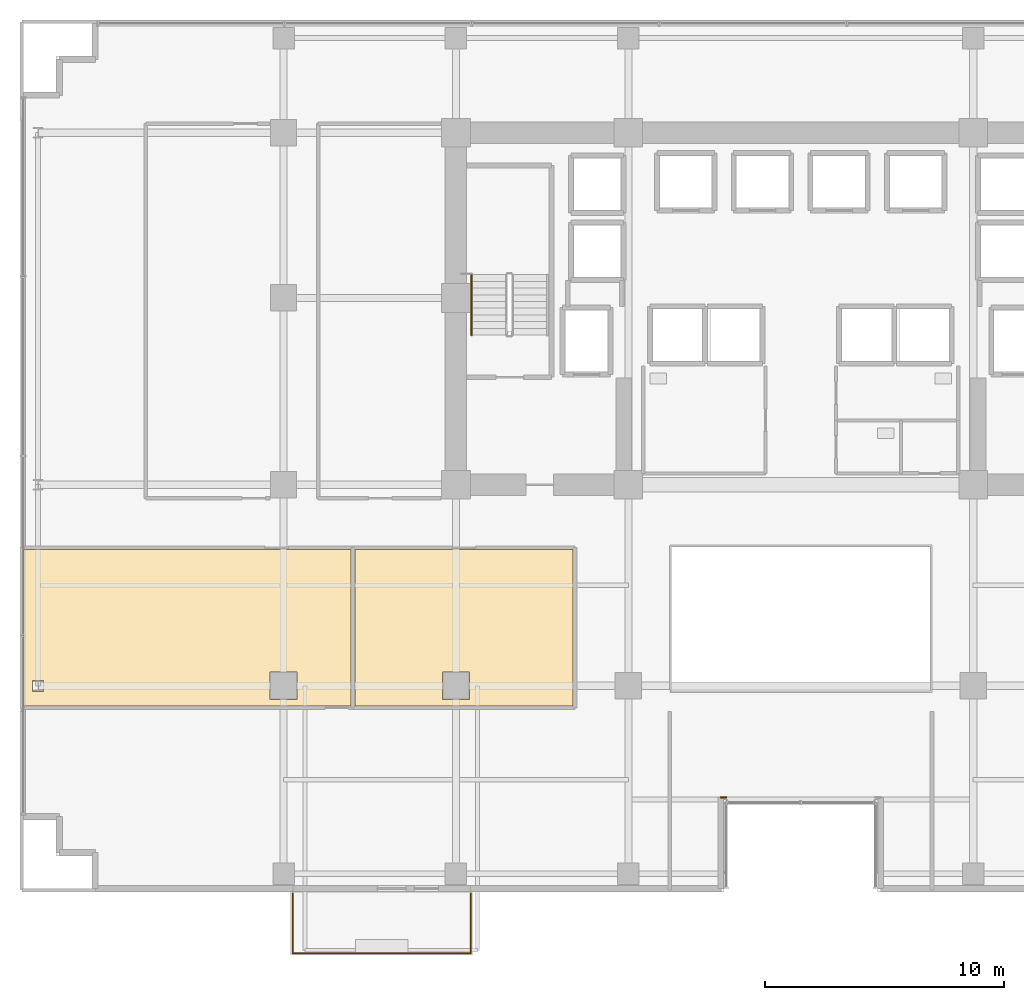
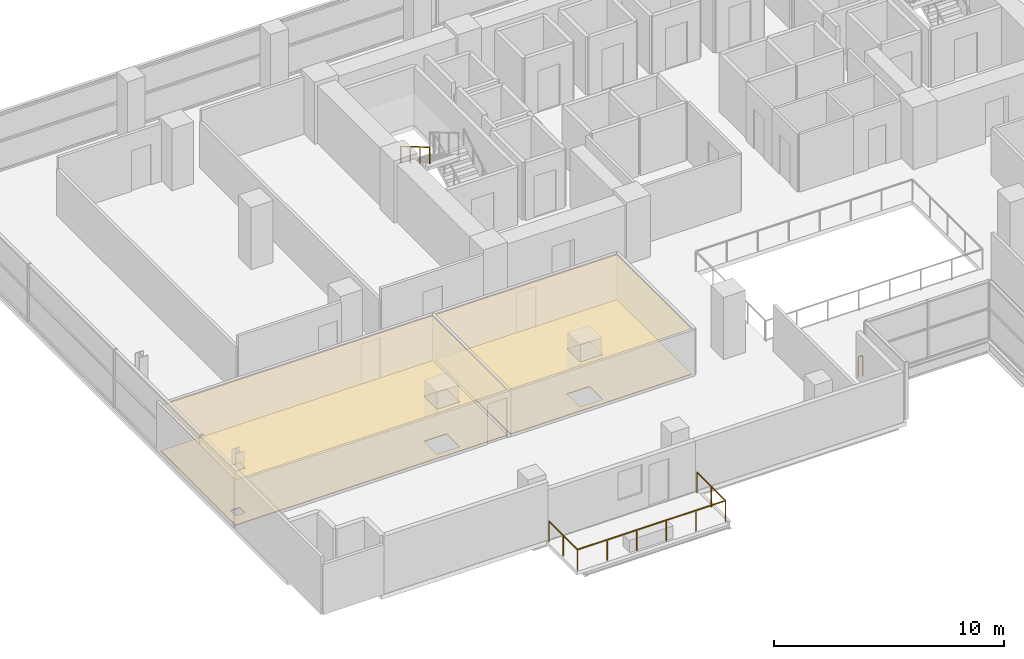
# One storey, part 26 of 29: 4 coverings, 3 railings.
"""IFC4 building model written with IfcOpenShell, lengths in metres."""

from ifc_helpers import new_model, si_unit, direction, frame, origin, origin_2d, place, context, subcontext, project, spatial, polyline, rectangle, outline, extrude, material, layer, layer_set, type_object, element, save


model = new_model("IFC4")

# Units and contexts
model_context = context("Model", 3, precision=1e-05, world=origin(), true_north=direction((0.0, 1.0)))
body_context = subcontext(model_context, "Body", "Model", "MODEL_VIEW")
ifc_project = project(units=[si_unit("LENGTHUNIT", "METRE"), si_unit("AREAUNIT", "SQUARE_METRE"), si_unit("VOLUMEUNIT", "CUBIC_METRE"), si_unit("PLANEANGLEUNIT", "RADIAN"), si_unit("MASSUNIT", "GRAM", prefix="KILO")], contexts=[model_context])

# Site, building, storey
site_placement = place(None, origin())
site = spatial("IfcSite", under=ifc_project, at=site_placement, CompositionType="ELEMENT")
building_placement = place(site_placement, origin())
building = spatial("IfcBuilding", under=site, at=building_placement, Name="Zarnakvel Exchange Tower", CompositionType="ELEMENT")
storey_placement = place(building_placement, frame((0.0, 0.0, 37.300048828125)))
storey = spatial("IfcBuildingStorey", under=building, at=storey_placement, Name="L09", CompositionType="ELEMENT", Elevation=37.300048828125)

# Coverings
ifc_material_1 = material(Name="Perforated Bronze Acoustic Metal Ceiling", Category="aluminium")
ifc_layer_1 = layer(ifc_material_1, 0.02001953125)
ifc_layer_set_1 = layer_set([ifc_layer_1], Name="Perforated Bronze Acoustic Metal Ceiling")
covering_type_1 = type_object("IfcCoveringType", Name="CLG-01", PredefinedType="CEILING", material=ifc_layer_set_1)
covering_1_placement = place(storey_placement, frame((0.0, 0.0, 2.405029296875)))
element("IfcCovering", 1, at=covering_1_placement, inside=storey, type_object=covering_type_1, Name="L09 Suspended Acoustic Ceiling (Institutional Dealing Room)", PredefinedType="CEILING", context=body_context, shape_type="SweptSolid", body=[
    extrude(outline(polyline([(-32.449951171875, -3.909912109375), (-18.781982421875, -3.909912109375), (-18.781982421875, -10.43994140625), (-32.449951171875, -10.43994140625), (-32.449951171875, -3.909912109375)]), holes=[polyline([(-21.030029296875, -10.169921875), (-21.030029296875, -9.030029296875), (-22.169921875, -9.030029296875), (-22.169921875, -10.169921875), (-21.030029296875, -10.169921875)]), polyline([(-32.075927734375, -9.83251953125), (-31.6240234375, -9.83251953125), (-31.6240234375, -9.367431640625), (-32.075927734375, -9.367431640625), (-32.075927734375, -9.83251953125)])]), origin(), (0.0, 0.0, 1.0), 0.02001953125),
])
covering_2_placement = place(storey_placement, frame((0.0, 0.0, 2.405029296875)))
element("IfcCovering", 2, at=covering_2_placement, inside=storey, type_object=covering_type_1, Name="L09 Suspended Acoustic Ceiling (Clearing Office)", PredefinedType="CEILING", context=body_context, shape_type="SweptSolid", body=[
    extrude(outline(polyline([(-18.6220703125, -3.909912109375), (-9.510009765625, -3.909912109375), (-9.510009765625, -10.43994140625), (-18.6220703125, -10.43994140625), (-18.6220703125, -3.909912109375)]), holes=[polyline([(-13.830078125, -10.169921875), (-13.830078125, -9.030029296875), (-14.969970703125, -9.030029296875), (-14.969970703125, -10.169921875), (-13.830078125, -10.169921875)])]), origin(), (0.0, 0.0, 1.0), 0.02001953125),
])
ifc_material_2 = material(Name="Heavy-Duty Raised Access Floor Panel", Category="steel")
ifc_layer_2 = layer(ifc_material_2, 0.034912109375)
ifc_layer_set_2 = layer_set([ifc_layer_2], Name="Heavy-Duty Raised Access Floor Panel")
covering_type_2 = type_object("IfcCoveringType", Name="FLR-02", PredefinedType="FLOORING", material=ifc_layer_set_2)
covering_3_placement = place(storey_placement, origin())
element("IfcCovering", 3, at=covering_3_placement, inside=storey, type_object=covering_type_2, Name="L09 Floor Finish (Institutional Dealing Room)", PredefinedType="FLOORING", context=body_context, shape_type="SweptSolid", body=[
    extrude(outline(polyline([(-32.449951171875, -3.909912109375), (-18.781982421875, -3.909912109375), (-18.781982421875, -10.43994140625), (-32.449951171875, -10.43994140625), (-32.449951171875, -3.909912109375)]), holes=[polyline([(-21.030029296875, -10.169921875), (-21.030029296875, -9.030029296875), (-22.169921875, -9.030029296875), (-22.169921875, -10.169921875), (-21.030029296875, -10.169921875)]), polyline([(-32.075927734375, -9.83251953125), (-31.6240234375, -9.83251953125), (-31.6240234375, -9.367431640625), (-32.075927734375, -9.367431640625), (-32.075927734375, -9.83251953125)])]), origin(), (0.0, 0.0, 1.0), 0.034912109375),
])
covering_4_placement = place(storey_placement, origin())
element("IfcCovering", 4, at=covering_4_placement, inside=storey, type_object=covering_type_2, Name="L09 Floor Finish (Clearing Office)", PredefinedType="FLOORING", context=body_context, shape_type="SweptSolid", body=[
    extrude(outline(polyline([(-18.6220703125, -3.909912109375), (-9.510009765625, -3.909912109375), (-9.510009765625, -10.43994140625), (-18.6220703125, -10.43994140625), (-18.6220703125, -3.909912109375)]), holes=[polyline([(-13.830078125, -10.169921875), (-13.830078125, -9.030029296875), (-14.969970703125, -9.030029296875), (-14.969970703125, -10.169921875), (-13.830078125, -10.169921875)])]), origin(), (0.0, 0.0, 1.0), 0.034912109375),
])

# Railings
ifc_material_3 = material(Name="Architectural Bronze Anodised Aluminium", Category="aluminium")
railing_type_1 = type_object("IfcRailingType", Name="GR-02", PredefinedType="GUARDRAIL", material=ifc_material_3)
railing_1_placement = place(storey_placement, frame((-21.219970703125, -18.280029296875, -0.03515625)))
element("IfcRailing", 5, at=railing_1_placement, inside=storey, type_object=railing_type_1, Name="L09 Balcony Guardrail BAL-L09-SW", PredefinedType="GUARDRAIL", context=body_context, shape_type="SweptSolid", body=[
    extrude(rectangle(XDim=0.048095703125, YDim=0.048095703125, at=origin_2d()), frame((0.0, 0.0, 1.09619140625), z_axis=(0.0, -1.0, 0.0), x_axis=(1.0, 0.0, 0.0)), (0.0, 0.0, 1.0), 2.489990234375),
    extrude(rectangle(XDim=0.048095703125, YDim=0.048095703125, at=origin_2d()), frame((0.0, -2.489990234375, 1.09619140625), z_axis=(1.0, 0.0, 0.0), x_axis=(0.0, 1.0, 0.0)), (0.0, 0.0, 1.0), 7.43994140625),
    extrude(rectangle(XDim=0.048095703125, YDim=0.048095703125, at=origin_2d()), frame((7.43994140625, -2.489990234375, 1.09619140625), z_axis=(0.0, 1.0, 0.0), x_axis=(-1.0, 0.0, 0.0)), (0.0, 0.0, 1.0), 2.489990234375),
    extrude(rectangle(XDim=0.0419921875, YDim=0.0419921875, at=origin_2d()), origin(), (0.0, 0.0, 1.0), 1.072021484375),
    extrude(rectangle(XDim=0.0419921875, YDim=0.0419921875, at=origin_2d()), frame((0.0, -1.2451171875, 0.0)), (0.0, 0.0, 1.0), 1.072021484375),
    extrude(rectangle(XDim=0.0419921875, YDim=0.0419921875, at=origin_2d()), frame((0.0, -2.489990234375, 0.0)), (0.0, 0.0, 1.0), 1.072021484375),
    extrude(rectangle(XDim=0.0419921875, YDim=0.0419921875, at=origin_2d()), frame((1.488037109375, -2.489990234375, 0.0)), (0.0, 0.0, 1.0), 1.072021484375),
    extrude(rectangle(XDim=0.0419921875, YDim=0.0419921875, at=origin_2d()), frame((2.97607421875, -2.489990234375, 0.0)), (0.0, 0.0, 1.0), 1.072021484375),
    extrude(rectangle(XDim=0.0419921875, YDim=0.0419921875, at=origin_2d()), frame((4.4638671875, -2.489990234375, 0.0)), (0.0, 0.0, 1.0), 1.072021484375),
    extrude(rectangle(XDim=0.0419921875, YDim=0.0419921875, at=origin_2d()), frame((5.951904296875, -2.489990234375, 0.0)), (0.0, 0.0, 1.0), 1.072021484375),
    extrude(rectangle(XDim=0.0419921875, YDim=0.0419921875, at=origin_2d()), frame((7.43994140625, -2.489990234375, 0.0)), (0.0, 0.0, 1.0), 1.072021484375),
    extrude(rectangle(XDim=0.0419921875, YDim=0.0419921875, at=origin_2d()), frame((7.43994140625, -1.2451171875, 0.0)), (0.0, 0.0, 1.0), 1.072021484375),
    extrude(rectangle(XDim=0.0419921875, YDim=0.0419921875, at=origin_2d()), frame((7.43994140625, 0.0, 0.0)), (0.0, 0.0, 1.0), 1.072021484375),
])
railing_2_placement = place(storey_placement, frame((-3.1201171875, -14.260009765625, 0.0)))
element("IfcRailing", 6, at=railing_2_placement, inside=storey, type_object=railing_type_1, Name="L09 Corner Spandrel Balustrade #19", PredefinedType="GUARDRAIL", context=body_context, shape_type="SweptSolid", body=[
    extrude(rectangle(XDim=0.048095703125, YDim=0.048095703125, at=origin_2d()), frame((0.0, 0.0, 1.09619140625), z_axis=(-1.0, 0.0, 0.0), x_axis=(0.0, -1.0, 0.0)), (0.0, 0.0, 1.0), 0.219970703125),
    extrude(rectangle(XDim=0.0419921875, YDim=0.0419921875, at=origin_2d()), origin(), (0.0, 0.0, 1.0), 1.072021484375),
    extrude(rectangle(XDim=0.0419921875, YDim=0.0419921875, at=origin_2d()), frame((-0.219970703125, 0.0, 0.0)), (0.0, 0.0, 1.0), 1.072021484375),
])
ifc_material_4 = material(Name="Brushed Stainless Steel", Category="steel")
railing_type_2 = type_object("IfcRailingType", Name="HR-01", PredefinedType="HANDRAIL", material=ifc_material_4)
railing_3_placement = place(storey_placement, frame((-13.75, 7.570068359375, 1.81494140625)))
element("IfcRailing", 7, at=railing_3_placement, inside=storey, type_object=railing_type_2, Name="L09 ST-01 stair handrail 2", PredefinedType="HANDRAIL", context=body_context, shape_type="SweptSolid", body=[
    extrude(rectangle(XDim=0.048095703125, YDim=0.048095703125, at=origin_2d()), frame((0.0, 0.0, 0.8759765625), z_axis=(0.0, -0.86152411907, 0.507716645641), x_axis=(1.0, 0.0, 0.0)), (0.0, 0.0, 1.0), 2.925048828125),
    extrude(rectangle(XDim=0.0419921875, YDim=0.0419921875, at=origin_2d()), origin(), (0.0, 0.0, 1.0), 0.851806640625),
    extrude(rectangle(XDim=0.0419921875, YDim=0.0419921875, at=origin_2d()), frame((0.0, -0.840087890625, 0.4951171875)), (0.0, 0.0, 1.0), 0.851806640625),
    extrude(rectangle(XDim=0.0419921875, YDim=0.0419921875, at=origin_2d()), frame((0.0, -1.679931640625, 0.989990234375)), (0.0, 0.0, 1.0), 0.851806640625),
    extrude(rectangle(XDim=0.0419921875, YDim=0.0419921875, at=origin_2d()), frame((0.0, -2.52001953125, 1.485107421875)), (0.0, 0.0, 1.0), 0.851806640625),
])

save(model, "model.ifc")
